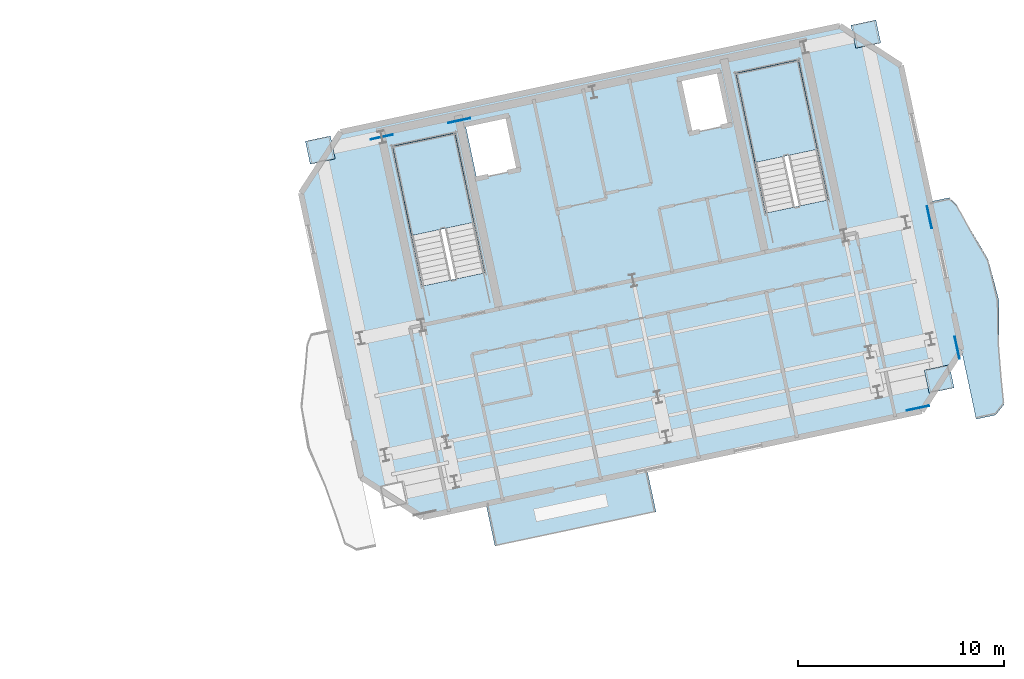
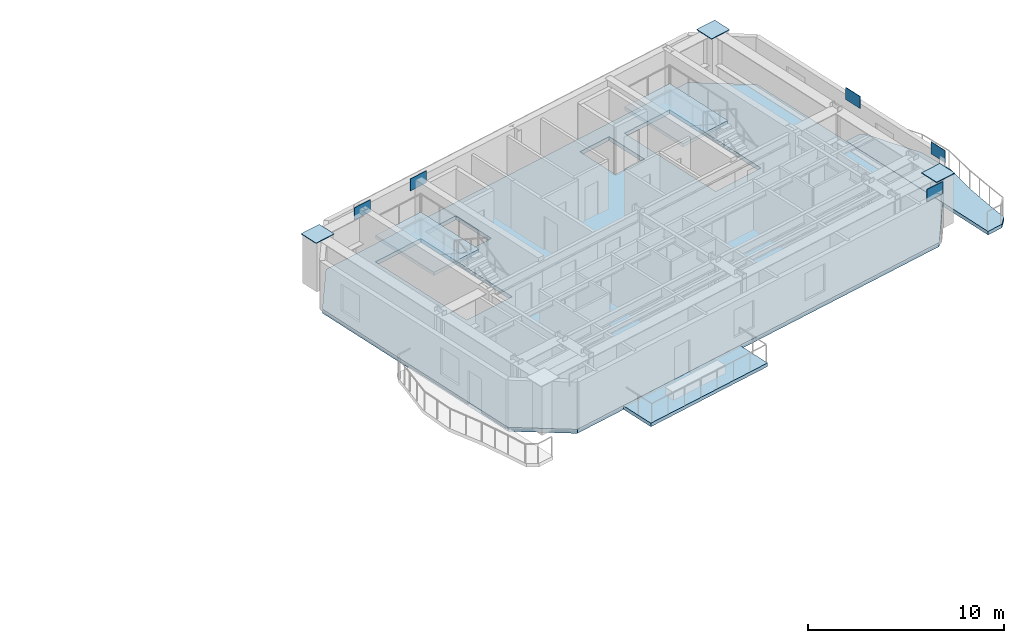
# One storey, part 6 of 16: 8 plates, 5 slabs, 2 elements without a shape of their own.
"""IFC4 building model written with IfcOpenShell, lengths in metres."""

from ifc_helpers import new_model, si_unit, direction, frame, origin, origin_2d, place, context, subcontext, project, spatial, polyline, rectangle, outline, extrude, material, layer, layer_set, type_object, element, aggregate, save


model = new_model("IFC4")

# Units and contexts
model_context = context("Model", 3, precision=1e-05, world=origin(), true_north=direction((0.0, 1.0)))
body_context = subcontext(model_context, "Body", "Model", "MODEL_VIEW")
ifc_project = project(units=[si_unit("LENGTHUNIT", "METRE"), si_unit("AREAUNIT", "SQUARE_METRE"), si_unit("VOLUMEUNIT", "CUBIC_METRE"), si_unit("PLANEANGLEUNIT", "RADIAN"), si_unit("MASSUNIT", "GRAM", prefix="KILO")], contexts=[model_context])

# Site, building, storey
site_placement = place(None, origin())
site = spatial("IfcSite", under=ifc_project, at=site_placement, CompositionType="ELEMENT")
building_placement = place(site_placement, origin())
building = spatial("IfcBuilding", under=site, at=building_placement, Name="Haevon Station Towers", CompositionType="ELEMENT")
storey_placement = place(building_placement, frame((0.0, 0.0, 215.39990234375)))
storey = spatial("IfcBuildingStorey", under=building, at=storey_placement, Name="L59", CompositionType="ELEMENT", Elevation=215.39990234375)

# Plates
ifc_material_1 = material(Name="PL-FLG1", Category="steel")
ifc_layer_1 = layer(ifc_material_1, 0.044921875)
ifc_layer_set_1 = layer_set([ifc_layer_1], Name="PL-FLG1")
plate_type_1 = type_object("IfcPlateType", Name="PL-FLG1", PredefinedType="USERDEFINED", material=ifc_layer_set_1)
for number, where, z_axis, x_axis, name in (
    (1, (93.824951171875, 45.953857421875, 3.050048828125), (0.0, 0.0, 1.0), (0.978147600734, 0.207911690818, 0.0), "PL-CAP-T2-L59-01-04"),
    (2, (123.894287109375, 34.832763671875, 3.050048828125), (0.0, 0.0, 1.0), (0.978147600734, 0.207911690818, 0.0), "PL-CAP-T2-L59-05-01"),
    (3, (120.332763671875, 51.58837890625, 3.050048828125), (0.0, 0.0, 1.0), (0.978147600734, 0.207911690818, 0.0), "PL-CAP-T2-L59-05-04"),
):
    element("IfcPlate", number, at=place(storey_placement, frame(where, z_axis=z_axis, x_axis=x_axis)), inside=storey, type_object=plate_type_1, Name=name, ObjectType="FLANGE_PLATE", PredefinedType="USERDEFINED", context=body_context, shape_type="SweptSolid", body=[
        extrude(rectangle(XDim=1.239990234375, YDim=1.139892578125, at=origin_2d()), origin(), (0.0, 0.0, 1.0), 0.0400390625),
    ])
ifc_material_2 = material(Name="PL-SPL1", Category="steel")
ifc_layer_2 = layer(ifc_material_2, 0.031982421875)
ifc_layer_set_2 = layer_set([ifc_layer_2], Name="PL-SPL1")
plate_type_2 = type_object("IfcPlateType", Name="PL-SPL1", PredefinedType="USERDEFINED", material=ifc_layer_set_2)
for number, where, z_axis, x_axis, name in (
    (4, (122.865966796875, 33.41796875, 2.775146484375), (0.0, 0.0, 1.0), (0.978147600734, 0.207911690818, 0.0), "PL-T2SPL-T08-S-4"),
    (5, (96.808349609375, 46.588134765625, 2.775146484375), (0.0, 0.0, 1.0), (0.978147600734, 0.207911690818, 0.0), "PL-T2SPL-T08-N-3"),
    (6, (100.57421875, 47.388671875, 2.775146484375), (0.0, 0.0, 1.0), (0.978147600734, 0.207911690818, 0.0), "PL-T2SPL-T08-N-4"),
    (7, (124.7685546875, 36.34765625, 2.775146484375), (0.0, 0.0, 1.0), (-0.207911690818, 0.978147600734, 0.0), "PL-T2SPL-T08-E-3"),
    (8, (123.421142578125, 42.68603515625, 2.775146484375), (0.0, 0.0, 1.0), (-0.207911690818, 0.978147600734, 0.0), "PL-T2SPL-T08-E-4"),
):
    element("IfcPlate", number, at=place(storey_placement, frame(where, z_axis=z_axis, x_axis=x_axis)), inside=storey, type_object=plate_type_2, Name=name, ObjectType="SPLICE_PLATE", PredefinedType="USERDEFINED", context=body_context, shape_type="SweptSolid", body=[
        extrude(rectangle(XDim=1.10009765625, YDim=0.031982421875, at=origin_2d()), origin(), (0.0, 0.0, 1.0), 0.75),
    ])

# Slabs
ifc_material_3 = material(Name="Concrete C40/50", Category="concrete")
ifc_layer_3 = layer(ifc_material_3, 0.219970703125)
ifc_layer_set_3 = layer_set([ifc_layer_3], Name="Concrete C40/50")
slab_type_1 = type_object("IfcSlabType", Name="SL-BALC220", PredefinedType="FLOOR", material=ifc_layer_set_3)
slab_1_placement = place(storey_placement, frame((0.0, 0.0, -0.219970703125)))
element("IfcSlab", 9, at=slab_1_placement, inside=storey, type_object=slab_type_1, Name="Tower 2 L59 East SCALLOPED BALCONY", PredefinedType="FLOOR", context=body_context, shape_type="SweptSolid", body=[
    extrude(outline(polyline([(125.69482421875, 32.87939453125), (126.63134765625, 33.078369140625), (127.040771484375, 33.585693359375), (126.925537109375, 34.7578125), (126.79736328125, 36.521728515625), (126.8017578125, 38.63525390625), (126.273681640625, 40.6357421875), (125.337646484375, 42.227783203125), (124.74072265625, 43.297607421875), (124.3857421875, 43.642333984375), (123.449462890625, 43.443359375), (125.69482421875, 32.87939453125)])), origin(), (0.0, 0.0, 1.0), 0.219970703125),
])
slab_2_placement = place(storey_placement, frame((0.0, 0.0, -0.219970703125)))
element("IfcSlab", 10, at=slab_2_placement, inside=storey, type_object=slab_type_1, Name="Tower 2 L59 Planted Balcony Band", PredefinedType="FLOOR", context=body_context, shape_type="SweptSolid", body=[
    extrude(outline(polyline([(102.309814453125, 26.7177734375), (110.135009765625, 28.381103515625), (109.699462890625, 30.43017578125), (101.874267578125, 28.766845703125), (102.309814453125, 26.7177734375)])), origin(), (0.0, 0.0, 1.0), 0.219970703125),
])

# Stair, slab
stair_type = type_object("IfcStairType", Name="STR-DL1450", PredefinedType="USERDEFINED", material=ifc_material_3)
stair_1_placement = place(storey_placement, origin())
stair_1 = element("IfcStair", 11, at=stair_1_placement, inside=storey, type_object=stair_type, Name="L59 Escape Stair ST3", ObjectType="TWO_RETURN_STAIR", PredefinedType="USERDEFINED")
ifc_layer_4 = layer(ifc_material_3, 0.199951171875)
ifc_layer_set_4 = layer_set([ifc_layer_4], Name="Concrete C40/50")
slab_type_2 = type_object("IfcSlabType", Name="SL-LND200", PredefinedType="LANDING", material=ifc_layer_set_4)
slab_3_placement = place(storey_placement, frame((0.0, 0.0, 1.4501953125)))
slab_3 = element("IfcSlab", 12, at=slab_3_placement, type_object=slab_type_2, Name="L59 ST3 Half Landing 1", PredefinedType="LANDING", context=body_context, shape_type="SweptSolid", body=[
    extrude(outline(polyline([(101.2880859375, 42.44287109375), (100.36572265625, 46.781982421875), (97.33349609375, 46.137451171875), (98.255859375, 41.79833984375), (101.2880859375, 42.44287109375)])), origin(), (0.0, 0.0, 1.0), 0.199951171875),
])
aggregate(stair_1, [slab_3])

stair_2_placement = place(storey_placement, origin())
stair_2 = element("IfcStair", 13, at=stair_2_placement, inside=storey, type_object=stair_type, Name="L59 Escape Stair ST4", ObjectType="TWO_RETURN_STAIR", PredefinedType="USERDEFINED")
slab_4_placement = place(storey_placement, frame((0.0, 0.0, 1.4501953125)))
slab_4 = element("IfcSlab", 14, at=slab_4_placement, type_object=slab_type_2, Name="L59 ST4 Half Landing 1", PredefinedType="LANDING", context=body_context, shape_type="SweptSolid", body=[
    extrude(outline(polyline([(117.975341796875, 45.989990234375), (117.052978515625, 50.328857421875), (114.020751953125, 49.684326171875), (114.943115234375, 45.345458984375), (117.975341796875, 45.989990234375)])), origin(), (0.0, 0.0, 1.0), 0.199951171875),
])
aggregate(stair_2, [slab_4])

# Slab
ifc_layer_5 = layer(ifc_material_3, 0.25)
ifc_layer_set_5 = layer_set([ifc_layer_5], Name="Concrete C40/50")
slab_type_3 = type_object("IfcSlabType", Name="SL-TW250", PredefinedType="FLOOR", material=ifc_layer_set_5)
slab_5_placement = place(storey_placement, frame((0.0, 0.0, -0.25)))
element("IfcSlab", 15, at=slab_5_placement, inside=storey, type_object=slab_type_3, Name="SL-T2-L59", PredefinedType="FLOOR", context=body_context, shape_type="SweptSolid", body=[
    extrude(outline(polyline([(98.7919921875, 28.116943359375), (123.050048828125, 33.273193359375), (124.975830078125, 36.23828125), (122.037841796875, 50.0595703125), (119.07275390625, 51.985107421875), (94.814697265625, 46.828857421875), (92.88916015625, 43.86376953125), (95.826904296875, 30.04248046875), (98.7919921875, 28.116943359375)]), holes=[polyline([(101.8095703125, 39.98974609375), (100.36572265625, 46.781982421875), (97.33349609375, 46.137451171875), (98.77734375, 39.34521484375), (101.8095703125, 39.98974609375)]), polyline([(118.496826171875, 43.53662109375), (117.052978515625, 50.328857421875), (114.020751953125, 49.684326171875), (115.464599609375, 42.89208984375), (118.496826171875, 43.53662109375)]), polyline([(101.43212890625, 44.554931640625), (103.486328125, 44.99169921875), (102.9248046875, 47.632568359375), (100.870849609375, 47.196044921875), (101.43212890625, 44.554931640625)]), polyline([(111.800537109375, 46.7587890625), (113.7568359375, 47.174560546875), (113.1953125, 49.815673828125), (111.239013671875, 49.39990234375), (111.800537109375, 46.7587890625)])]), origin(), (0.0, 0.0, 1.0), 0.25),
])

save(model, "model.ifc")
